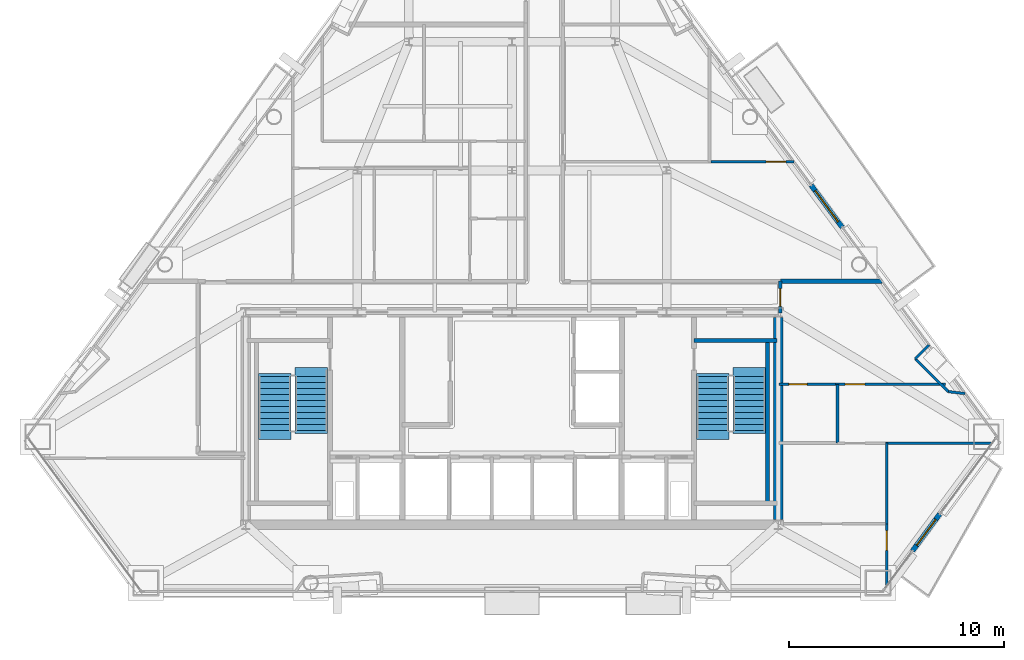
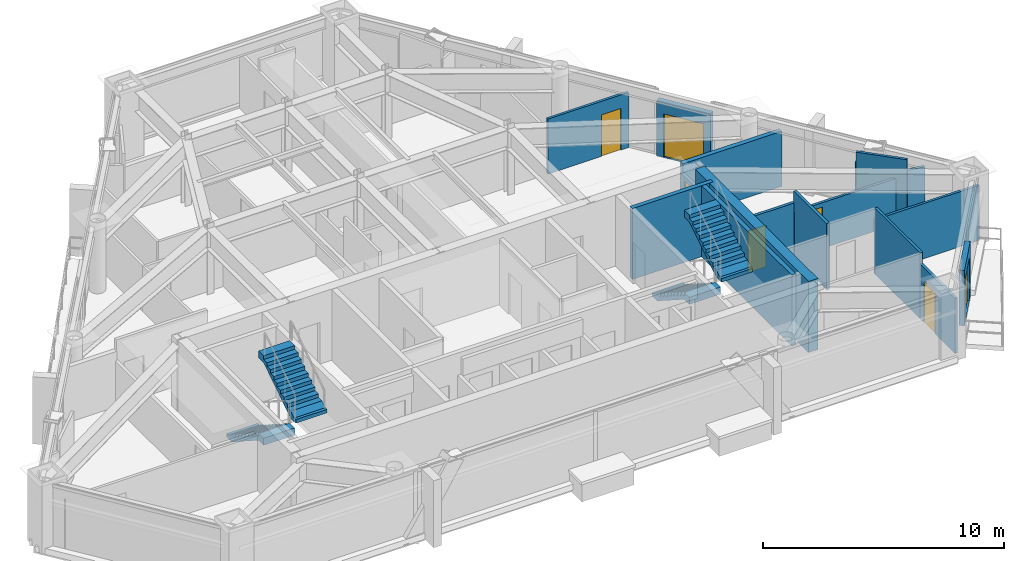
# One storey, part 9 of 11: 17 walls, 7 doors, 4 stair flights, 7 openings, 2 elements without a shape of their own.
"""IFC4 building model written with IfcOpenShell, lengths in metres."""

from ifc_helpers import new_model, si_unit, direction, frame, frame_2d, origin, place, context, subcontext, project, spatial, polyline, rectangle, outline, extrude, material, layer, layer_set, type_object, element, fill, aggregate, save


model = new_model("IFC4")

# Units and contexts
model_context = context("Model", 3, precision=1e-05, world=origin(), true_north=direction((0.0, 1.0)))
body_context = subcontext(model_context, "Body", "Model", "MODEL_VIEW")
ifc_project = project(units=[si_unit("LENGTHUNIT", "METRE"), si_unit("AREAUNIT", "SQUARE_METRE"), si_unit("VOLUMEUNIT", "CUBIC_METRE"), si_unit("PLANEANGLEUNIT", "RADIAN"), si_unit("MASSUNIT", "GRAM", prefix="KILO")], contexts=[model_context])

# Site, building, storey
site_placement = place(None, origin())
site = spatial("IfcSite", under=ifc_project, at=site_placement, CompositionType="ELEMENT")
building_placement = place(site_placement, origin())
building = spatial("IfcBuilding", under=site, at=building_placement, Name="Talgorran Terracotta Tower", CompositionType="ELEMENT")
storey_placement = place(building_placement, frame((0.0, 0.0, 140.10009765625)))
storey = spatial("IfcBuildingStorey", under=building, at=storey_placement, Name="L36", CompositionType="ELEMENT", Elevation=140.10009765625)

# Wall, opening, door
ifc_material_1 = material(Name="Concrete C40/50", Category="concrete")
ifc_layer_1 = layer(ifc_material_1, 0.239990234375, Name="WT_BALCONY_SPAND")
ifc_layer_set_1 = layer_set([ifc_layer_1], Name="Concrete C40/50")
wall_type_1 = type_object("IfcWallType", Name="WT_BALCONY_SPAND", PredefinedType="STANDARD", material=ifc_layer_set_1)
wall_1_placement = place(storey_placement, frame((15.38427734375, -0.24560546875, -0.01513671875), z_axis=(0.0, 0.0, 1.0), x_axis=(-0.594317914364, 0.804230201289, 0.0)))
wall_1 = element("IfcWall", 1, at=wall_1_placement, inside=storey, type_object=wall_type_1, Name="WL-L36-BALP-BAL-NE", PredefinedType="STANDARD", context=body_context, shape_type="SweptSolid", body=[
    extrude(rectangle(XDim=2.440185546875, YDim=0.239990234375, at=frame_2d((1.22021484375, 0.0))), origin(), (0.0, 0.0, 1.0), 2.80712890625),
])
opening_1_placement = place(wall_1_placement, frame((0.320068359375, 0.0, 0.014892578125)))
opening_1 = element("IfcOpeningElement", 2, at=opening_1_placement, cuts=wall_1, Name="Opening D-BAL-L36-1", PredefinedType="OPENING", context=body_context, shape_type="SweptSolid", body=[
    extrude(rectangle(XDim=1.806048828125, YDim=2.203951171875, at=frame_2d((0.89990234375, 1.10205078125))), frame((0.0, 0.1298828125, 0.0), z_axis=(0.0, -1.0, 0.0), x_axis=(1.0, 0.0, 0.0)), (0.0, 0.0, 1.0), 0.260009765625),
])
ifc_material_2 = material(Name="Thermally Broken Aluminium", Category="aluminium")
door_type_1 = type_object("IfcDoorType", Name="DT_BALC_1800", OperationType="SLIDING_TO_LEFT", PredefinedType="DOOR", material=ifc_material_2)
door_1_placement = place(opening_1_placement, origin())
door_1 = element("IfcDoor", 3, at=door_1_placement, inside=storey, type_object=door_type_1, Name="DR-L36-BAL-BAL-NE", OperationType="SLIDING_TO_LEFT", OverallHeight=2.199951171875, OverallWidth=1.800048828125, PredefinedType="DOOR", context=body_context, shape_type="SweptSolid", body=[
    extrude(rectangle(XDim=1.800048828125, YDim=2.199951171875, at=frame_2d((0.89990234375, 1.10009765625))), frame((0.0, 0.02490234375, 0.0), z_axis=(0.0, -1.0, 0.0), x_axis=(1.0, 0.0, 0.0)), (0.0, 0.0, 1.0), 0.050048828125),
])
fill(opening_1, door_1)

wall_2_placement = place(storey_placement, frame((18.66015625, -15.322509765625, -0.01513671875), z_axis=(0.0, 0.0, 1.0), x_axis=(0.594381437757, 0.804183254271, 0.0)))
wall_2 = element("IfcWall", 4, at=wall_2_placement, inside=storey, type_object=wall_type_1, Name="WL-L36-BALP-BAL-SE", PredefinedType="STANDARD", context=body_context, shape_type="SweptSolid", body=[
    extrude(rectangle(XDim=2.139892578125, YDim=0.239990234375, at=frame_2d((1.06982421875, 0.0))), origin(), (0.0, 0.0, 1.0), 2.80712890625),
])
opening_2_placement = place(wall_2_placement, frame((0.320068359375, 0.0, 0.014892578125)))
opening_2 = element("IfcOpeningElement", 5, at=opening_2_placement, cuts=wall_2, Name="Opening D-BAL-L36-3", PredefinedType="OPENING", context=body_context, shape_type="SweptSolid", body=[
    extrude(rectangle(XDim=1.506, YDim=2.203951171875, at=frame_2d((0.75, 1.10205078125))), frame((0.0, 0.1298828125, 0.0), z_axis=(0.0, -1.0, 0.0), x_axis=(1.0, 0.0, 0.0)), (0.0, 0.0, 1.0), 0.260009765625),
])
door_type_2 = type_object("IfcDoorType", Name="DT_BALC_1500", OperationType="SLIDING_TO_RIGHT", PredefinedType="DOOR", material=ifc_material_2)
door_2_placement = place(opening_2_placement, origin())
door_2 = element("IfcDoor", 6, at=door_2_placement, inside=storey, type_object=door_type_2, Name="DR-L36-BAL-BAL-SE", OperationType="SLIDING_TO_RIGHT", OverallHeight=2.199951171875, OverallWidth=1.5, PredefinedType="DOOR", context=body_context, shape_type="SweptSolid", body=[
    extrude(rectangle(XDim=1.5, YDim=2.199951171875, at=frame_2d((0.75, 1.10009765625))), frame((0.0, 0.02490234375, 0.0), z_axis=(0.0, -1.0, 0.0), x_axis=(1.0, 0.0, 0.0)), (0.0, 0.0, 1.0), 0.050048828125),
])
fill(opening_2, door_2)

# Walls
ifc_material_3 = material(Name="Concrete C50/60", Category="concrete")
ifc_layer_2 = layer(ifc_material_3, 0.199951171875, Name="WT_CORE_200")
ifc_layer_set_2 = layer_set([ifc_layer_2], Name="Concrete C50/60")
wall_type_2 = type_object("IfcWallType", Name="WT_CORE_200", PredefinedType="SOLIDWALL", material=ifc_layer_set_2)
wall_3_placement = place(storey_placement, frame((8.47998046875, -5.52001953125, 0.0), z_axis=(0.0, 0.0, 1.0), x_axis=(1.0, 0.0, 0.0)))
element("IfcWall", 7, at=wall_3_placement, inside=storey, type_object=wall_type_2, Name="WL-L36-CW-ST2-N", PredefinedType="SOLIDWALL", context=body_context, shape_type="SweptSolid", body=[
    extrude(rectangle(XDim=3.8701171875, YDim=0.199951171875, at=frame_2d((1.93505859375, 0.0))), origin(), (0.0, 0.0, 1.0), 3.599853515625),
])
wall_4_placement = place(storey_placement, frame((11.89990234375, -13.10009765625, 0.0), z_axis=(0.0, 0.0, 1.0), x_axis=(0.0, 1.0, 0.0)))
element("IfcWall", 8, at=wall_4_placement, inside=storey, type_object=wall_type_2, Name="WL-L36-CW-ST2-E", PredefinedType="SOLIDWALL", context=body_context, shape_type="SweptSolid", body=[
    extrude(rectangle(XDim=7.580078125, YDim=0.199951171875, at=frame_2d((3.7900390625, 0.0))), origin(), (0.0, 0.0, 1.0), 3.599853515625),
])
ifc_material_4 = material(Name="Concrete C65/80", Category="concrete")
ifc_layer_3 = layer(ifc_material_4, 0.449951171875, Name="WT_CORE_EXT")
ifc_layer_set_3 = layer_set([ifc_layer_3], Name="Concrete C65/80")
wall_type_3 = type_object("IfcWallType", Name="WT_CORE_EXT", PredefinedType="SHEAR", material=ifc_layer_set_3)
wall_5_placement = place(storey_placement, frame((12.39990234375, -13.85009765625, 0.0), z_axis=(0.0, 0.0, 1.0), x_axis=(0.0, 1.0, 0.0)))
element("IfcWall", 9, at=wall_5_placement, inside=storey, type_object=wall_type_3, Name="WL-L36-CW-OUT-E", PredefinedType="SHEAR", context=body_context, shape_type="SweptSolid", body=[
    extrude(rectangle(XDim=9.400146484375, YDim=0.449951171875, at=frame_2d((4.7001953125, 0.0))), origin(), (0.0, 0.0, 1.0), 3.599853515625),
])

# Wall, opening, door
ifc_material_5 = material(Name="Fire-Rated Steel Stud Plasterboard", Category="steel")
ifc_layer_4 = layer(ifc_material_5, 0.14990234375, Name="WT_FIRE_150")
ifc_layer_set_4 = layer_set([ifc_layer_4], Name="Fire-Rated Steel Stud Plasterboard")
wall_type_4 = type_object("IfcWallType", Name="WT_FIRE_150", PredefinedType="PARTITIONING", material=ifc_layer_set_4)
wall_6_placement = place(storey_placement, frame((12.5, -4.239990234375, 0.0), z_axis=(0.0, 0.0, 1.0), x_axis=(0.0, 1.0, 0.0)))
wall_6 = element("IfcWall", 10, at=wall_6_placement, inside=storey, type_object=wall_type_4, Name="WL-L36-W-L36-R03", PredefinedType="PARTITIONING", context=body_context, shape_type="SweptSolid", body=[
    extrude(rectangle(XDim=1.47998046875, YDim=0.14990234375, at=frame_2d((0.739990234375, 0.0))), origin(), (0.0, 0.0, 1.0), 2.324951171875),
])
opening_3_placement = place(wall_6_placement, frame((0.31494140625, 0.0, 0.0)))
opening_3 = element("IfcOpeningElement", 11, at=opening_3_placement, cuts=wall_6, Name="Opening DR-L36-R03", PredefinedType="OPENING", context=body_context, shape_type="SweptSolid", body=[
    extrude(rectangle(XDim=0.826068359375, YDim=2.10409765625, at=frame_2d((0.41015625, 1.052001953125))), frame((0.0, 0.0849609375, 0.0), z_axis=(0.0, -1.0, 0.0), x_axis=(1.0, 0.0, 0.0)), (0.0, 0.0, 1.0), 0.169921875),
])
ifc_material_6 = material(Name="Moisture-Resistant Solid Timber", Category="wood")
door_type_3 = type_object("IfcDoorType", Name="DT_INT_820", OperationType="NOTDEFINED", PredefinedType="DOOR", material=ifc_material_6)
door_3_placement = place(opening_3_placement, origin())
door_3 = element("IfcDoor", 12, at=door_3_placement, inside=storey, type_object=door_type_3, Name="DR-L36-R03", OperationType="SINGLE_SWING_LEFT", OverallHeight=2.10009765625, OverallWidth=0.820068359375, PredefinedType="DOOR", context=body_context, shape_type="SweptSolid", body=[
    extrude(rectangle(XDim=0.820068359375, YDim=2.10009765625, at=frame_2d((0.41015625, 1.050048828125))), frame((0.0, 0.02490234375, 0.0), z_axis=(0.0, -1.0, 0.0), x_axis=(1.0, 0.0, 0.0)), (0.0, 0.0, 1.0), 0.050048828125),
])
fill(opening_3, door_3)

# Wall
ifc_material_7 = material(Name="Acoustic Masonry and Plasterboard", Category="masonry")
ifc_layer_5 = layer(ifc_material_7, 0.219970703125, Name="WT_PARTY_220")
ifc_layer_set_5 = layer_set([ifc_layer_5], Name="Acoustic Masonry and Plasterboard")
wall_type_5 = type_object("IfcWallType", Name="WT_PARTY_220", PredefinedType="PARTITIONING", material=ifc_layer_set_5)
wall_7_placement = place(storey_placement, frame((12.5, -2.760009765625, 0.0), z_axis=(0.0, 0.0, 1.0), x_axis=(1.0, 0.0, 0.0)))
element("IfcWall", 13, at=wall_7_placement, inside=storey, type_object=wall_type_5, Name="WL-L36-W-L36-R21", PredefinedType="PARTITIONING", context=body_context, shape_type="SweptSolid", body=[
    extrude(rectangle(XDim=4.74267578125, YDim=0.219970703125, at=frame_2d((2.371337890625, 0.0))), origin(), (0.0, 0.0, 1.0), 2.7919921875),
])

# Wall, opening, door
ifc_material_8 = material(Name="Insulated Steel Stud Plasterboard", Category="steel")
ifc_layer_6 = layer(ifc_material_8, 0.1201171875, Name="WT_PART_120")
ifc_layer_set_6 = layer_set([ifc_layer_6], Name="Insulated Steel Stud Plasterboard")
wall_type_6 = type_object("IfcWallType", Name="WT_PART_120", PredefinedType="PARTITIONING", material=ifc_layer_set_6)
wall_8_placement = place(storey_placement, frame((15.080078125, -7.56005859375, 0.0), z_axis=(0.0, 0.0, 1.0), x_axis=(1.0, 0.0, 0.0)))
wall_8 = element("IfcWall", 14, at=wall_8_placement, inside=storey, type_object=wall_type_6, Name="WL-L36-W-L36-R20", PredefinedType="PARTITIONING", context=body_context, shape_type="SweptSolid", body=[
    extrude(rectangle(XDim=5.119873046875, YDim=0.1201171875, at=frame_2d((2.56005859375, 0.0))), origin(), (0.0, 0.0, 1.0), 2.324951171875),
])
opening_4_placement = place(wall_8_placement, frame((0.438232421875, 0.0, 0.0)))
opening_4 = element("IfcOpeningElement", 15, at=opening_4_placement, cuts=wall_8, Name="Opening DR-L36-R05", PredefinedType="OPENING", context=body_context, shape_type="SweptSolid", body=[
    extrude(rectangle(XDim=0.925921875, YDim=2.10409765625, at=frame_2d((0.4599609375, 1.052001953125))), frame((0.0, 0.070068359375, 0.0), z_axis=(0.0, -1.0, 0.0), x_axis=(1.0, 0.0, 0.0)), (0.0, 0.0, 1.0), 0.14013671875),
])
ifc_material_9 = material(Name="Solid-Core Painted Timber", Category="wood")
door_type_4 = type_object("IfcDoorType", Name="DT_INT_920", OperationType="NOTDEFINED", PredefinedType="DOOR", material=ifc_material_9)
door_4_placement = place(opening_4_placement, origin())
door_4 = element("IfcDoor", 16, at=door_4_placement, inside=storey, type_object=door_type_4, Name="DR-L36-R05", OperationType="SINGLE_SWING_LEFT", OverallHeight=2.10009765625, OverallWidth=0.919921875, PredefinedType="DOOR", context=body_context, shape_type="SweptSolid", body=[
    extrude(rectangle(XDim=0.919921875, YDim=2.10009765625, at=frame_2d((0.4599609375, 1.050048828125))), frame((0.0, 0.02490234375, 0.0), z_axis=(0.0, -1.0, 0.0), x_axis=(1.0, 0.0, 0.0)), (0.0, 0.0, 1.0), 0.050048828125),
])
fill(opening_4, door_4)

# Wall
wall_9_placement = place(storey_placement, frame((17.39990234375, -10.300048828125, 0.0), z_axis=(0.0, 0.0, 1.0), x_axis=(1.0, 0.0, 0.0)))
element("IfcWall", 17, at=wall_9_placement, inside=storey, type_object=wall_type_6, Name="WL-L36-W-L36-R25", PredefinedType="PARTITIONING", context=body_context, shape_type="SweptSolid", body=[
    extrude(rectangle(XDim=4.97216796875, YDim=0.1201171875, at=frame_2d((2.486083984375, 0.0))), origin(), (0.0, 0.0, 1.0), 2.7919921875),
])

# Wall, opening, door
wall_10_placement = place(storey_placement, frame((9.261962890625, 2.800048828125, 0.0), z_axis=(0.0, 0.0, 1.0), x_axis=(1.0, 0.0, 0.0)))
wall_10 = element("IfcWall", 18, at=wall_10_placement, inside=storey, type_object=wall_type_6, Name="WL-L36-W-L36-R46", PredefinedType="PARTITIONING", context=body_context, shape_type="SweptSolid", body=[
    extrude(rectangle(XDim=3.87158203125, YDim=0.1201171875, at=frame_2d((1.935791015625, 0.0))), origin(), (0.0, 0.0, 1.0), 2.7919921875),
])
opening_5_placement = place(wall_10_placement, frame((2.57421875, 0.0, 0.0)))
opening_5 = element("IfcOpeningElement", 19, at=opening_5_placement, cuts=wall_10, Name="Opening DR-L36-R17", PredefinedType="OPENING", context=body_context, shape_type="SweptSolid", body=[
    extrude(rectangle(XDim=0.925921875, YDim=2.10409765625, at=frame_2d((0.4599609375, 1.052001953125))), frame((0.0, 0.070068359375, 0.0), z_axis=(0.0, -1.0, 0.0), x_axis=(1.0, 0.0, 0.0)), (0.0, 0.0, 1.0), 0.14013671875),
])
door_5_placement = place(opening_5_placement, origin())
door_5 = element("IfcDoor", 20, at=door_5_placement, inside=storey, type_object=door_type_4, Name="DR-L36-R17", OperationType="SINGLE_SWING_LEFT", OverallHeight=2.10009765625, OverallWidth=0.919921875, PredefinedType="DOOR", context=body_context, shape_type="SweptSolid", body=[
    extrude(rectangle(XDim=0.919921875, YDim=2.10009765625, at=frame_2d((0.4599609375, 1.050048828125))), frame((0.0, 0.02490234375, 0.0), z_axis=(0.0, -1.0, 0.0), x_axis=(1.0, 0.0, 0.0)), (0.0, 0.0, 1.0), 0.050048828125),
])
fill(opening_5, door_5)

# Wall
wall_11_placement = place(storey_placement, frame((17.4599609375, -14.06005859375, 0.0), z_axis=(0.0, 0.0, 1.0), x_axis=(0.0, 1.0, 0.0)))
element("IfcWall", 21, at=wall_11_placement, inside=storey, type_object=wall_type_6, Name="WL-L36-W-L36-R28", PredefinedType="PARTITIONING", context=body_context, shape_type="SweptSolid", body=[
    extrude(rectangle(XDim=3.760009765625, YDim=0.1201171875, at=frame_2d((1.8798828125, 0.0))), origin(), (0.0, 0.0, 1.0), 3.349853515625),
])

# Wall, opening, door
wall_12_placement = place(storey_placement, frame((17.4599609375, -16.9462890625, 0.0), z_axis=(0.0, 0.0, 1.0), x_axis=(0.0, 1.0, 0.0)))
wall_12 = element("IfcWall", 22, at=wall_12_placement, inside=storey, type_object=wall_type_6, Name="WL-L36-W-L36-R27", PredefinedType="PARTITIONING", context=body_context, shape_type="SweptSolid", body=[
    extrude(rectangle(XDim=2.88623046875, YDim=0.1201171875, at=frame_2d((1.443115234375, 0.0))), origin(), (0.0, 0.0, 1.0), 2.7919921875),
])
opening_6_placement = place(wall_12_placement, frame((1.64794921875, 0.0, 0.0)))
opening_6 = element("IfcOpeningElement", 23, at=opening_6_placement, cuts=wall_12, Name="Opening DR-L36-R06", PredefinedType="OPENING", context=body_context, shape_type="SweptSolid", body=[
    extrude(rectangle(XDim=0.925921875, YDim=2.10409765625, at=frame_2d((0.4599609375, 1.052001953125))), frame((0.0, 0.070068359375, 0.0), z_axis=(0.0, -1.0, 0.0), x_axis=(1.0, 0.0, 0.0)), (0.0, 0.0, 1.0), 0.14013671875),
])
door_6_placement = place(opening_6_placement, origin())
door_6 = element("IfcDoor", 24, at=door_6_placement, inside=storey, type_object=door_type_4, Name="DR-L36-R06", OperationType="SINGLE_SWING_RIGHT", OverallHeight=2.10009765625, OverallWidth=0.919921875, PredefinedType="DOOR", context=body_context, shape_type="SweptSolid", body=[
    extrude(rectangle(XDim=0.919921875, YDim=2.10009765625, at=frame_2d((0.4599609375, 1.050048828125))), frame((0.0, 0.02490234375, 0.0), z_axis=(0.0, -1.0, 0.0), x_axis=(1.0, 0.0, 0.0)), (0.0, 0.0, 1.0), 0.050048828125),
])
fill(opening_6, door_6)

# Walls
wall_13_placement = place(storey_placement, frame((20.32958984375, -7.903076171875, 0.0), z_axis=(0.0, 0.0, 1.0), x_axis=(-0.71069096923, 0.70350433279, 0.0)))
element("IfcWall", 25, at=wall_13_placement, inside=storey, type_object=wall_type_6, Name="WL-L36-BW-L36-13", PredefinedType="PARTITIONING", context=body_context, shape_type="SweptSolid", body=[
    extrude(rectangle(XDim=2.174072265625, YDim=0.1201171875, at=frame_2d((1.0869140625, 0.0))), origin(), (0.0, 0.0, 1.0), 3.349853515625),
])
wall_14_placement = place(storey_placement, frame((18.784423828125, -6.37353515625, 0.0), z_axis=(0.0, 0.0, 1.0), x_axis=(0.703469957503, 0.710724995262, 0.0)))
element("IfcWall", 26, at=wall_14_placement, inside=storey, type_object=wall_type_6, Name="WL-L36-BW-L36-11", PredefinedType="PARTITIONING", context=body_context, shape_type="SweptSolid", body=[
    extrude(rectangle(XDim=0.90869140625, YDim=0.1201171875, at=frame_2d((0.454345703125, 0.0))), origin(), (0.0, 0.0, 1.0), 2.7919921875),
])
wall_15_placement = place(storey_placement, frame((21.097900390625, -7.993408203125, 0.0), z_axis=(0.0, 0.0, 1.0), x_axis=(-0.993159218392, 0.116768004705, 0.0)))
element("IfcWall", 27, at=wall_15_placement, inside=storey, type_object=wall_type_6, Name="WL-L36-BW-L36-12", PredefinedType="PARTITIONING", context=body_context, shape_type="SweptSolid", body=[
    extrude(rectangle(XDim=0.773681640625, YDim=0.1201171875, at=frame_2d((0.38671875, 0.0))), origin(), (0.0, 0.0, 1.0), 2.7919921875),
])

# Wall, opening, door
ifc_material_10 = material(Name="Moisture-Resistant Stud Wall")
ifc_layer_7 = layer(ifc_material_10, 0.135009765625, Name="WT_PART_135")
ifc_layer_set_7 = layer_set([ifc_layer_7], Name="Moisture-Resistant Stud Wall")
wall_type_7 = type_object("IfcWallType", Name="WT_PART_135", PredefinedType="PARTITIONING", material=ifc_layer_set_7)
wall_16_placement = place(storey_placement, frame((12.43994140625, -7.56005859375, 0.0), z_axis=(0.0, 0.0, 1.0), x_axis=(1.0, 0.0, 0.0)))
wall_16 = element("IfcWall", 28, at=wall_16_placement, inside=storey, type_object=wall_type_7, Name="WL-L36-W-L36-R19", PredefinedType="PARTITIONING", context=body_context, shape_type="SweptSolid", body=[
    extrude(rectangle(XDim=2.637939453125, YDim=0.135009765625, at=frame_2d((1.31884765625, 0.0))), origin(), (0.0, 0.0, 1.0), 2.7919921875),
])
opening_7_placement = place(wall_16_placement, frame((0.458251953125, 0.0, 0.0)))
opening_7 = element("IfcOpeningElement", 29, at=opening_7_placement, cuts=wall_16, Name="Opening DR-L36-R04", PredefinedType="OPENING", context=body_context, shape_type="SweptSolid", body=[
    extrude(rectangle(XDim=0.85609765625, YDim=2.10409765625, at=frame_2d((0.425048828125, 1.052001953125))), frame((0.0, 0.07763671875, 0.0), z_axis=(0.0, -1.0, 0.0), x_axis=(1.0, 0.0, 0.0)), (0.0, 0.0, 1.0), 0.155029296875),
])
door_type_5 = type_object("IfcDoorType", Name="DT_INT_850", OperationType="NOTDEFINED", PredefinedType="DOOR", material=ifc_material_6)
door_7_placement = place(opening_7_placement, origin())
door_7 = element("IfcDoor", 30, at=door_7_placement, inside=storey, type_object=door_type_5, Name="DR-L36-R04", OperationType="SINGLE_SWING_RIGHT", OverallHeight=2.10009765625, OverallWidth=0.85009765625, PredefinedType="DOOR", context=body_context, shape_type="SweptSolid", body=[
    extrude(rectangle(XDim=0.85009765625, YDim=2.10009765625, at=frame_2d((0.425048828125, 1.050048828125))), frame((0.0, 0.02490234375, 0.0), z_axis=(0.0, -1.0, 0.0), x_axis=(1.0, 0.0, 0.0)), (0.0, 0.0, 1.0), 0.050048828125),
])
fill(opening_7, door_7)

# Wall
wall_17_placement = place(storey_placement, frame((15.159912109375, -10.300048828125, 0.0), z_axis=(0.0, 0.0, 1.0), x_axis=(0.0, 1.0, 0.0)))
element("IfcWall", 31, at=wall_17_placement, inside=storey, type_object=wall_type_7, Name="WL-L36-W-L36-R22", PredefinedType="PARTITIONING", context=body_context, shape_type="SweptSolid", body=[
    extrude(rectangle(XDim=2.739990234375, YDim=0.135009765625, at=frame_2d((1.3701171875, 0.0))), origin(), (0.0, 0.0, 1.0), 3.349853515625),
])

# Stair, stair flights
stair_type = type_object("IfcStairType", Name="ST_FIRE_SCISSOR", PredefinedType="HALF_TURN_STAIR", material=ifc_material_1)
stair_1_placement = place(storey_placement, origin())
stair_1 = element("IfcStair", 32, at=stair_1_placement, inside=storey, type_object=stair_type, Name="L36 West Protected Fire Stair ST-01", PredefinedType="HALF_TURN_STAIR")
ifc_layer_8 = layer(ifc_material_1, 0.179931640625, Name="STF_RC_1500")
ifc_layer_set_8 = layer_set([ifc_layer_8], Name="Concrete C40/50")
stair_flight_type = type_object("IfcStairFlightType", Name="STF_RC_1500", PredefinedType="STRAIGHT", material=ifc_layer_set_8)
stair_flight_1_placement = place(storey_placement, frame((-11.050048828125, -7.199951171875, 0.0), z_axis=(0.0, 0.0, 1.0), x_axis=(0.0, -1.0, 0.0)))
stair_flight_1 = element("IfcStairFlight", 33, at=stair_flight_1_placement, type_object=stair_flight_type, Name="ST-01 flight 1", NumberOfRisers=10, NumberOfTreads=9, PredefinedType="STRAIGHT", RiserHeight=0.18, TreadLength=0.28, context=body_context, shape_type="SweptSolid", body=[
    extrude(outline(polyline([(-0.139892578125, 0.0), (-0.139892578125, 0.179931640625), (0.0, 0.179931640625), (0.280029296875, 0.360107421875), (0.56005859375, 0.360107421875), (0.56005859375, 0.5400390625), (0.840087890625, 0.5400390625), (0.840087890625, 0.719970703125), (1.1201171875, 0.719970703125), (1.1201171875, 0.89990234375), (1.39990234375, 0.89990234375), (1.39990234375, 1.080078125), (1.679931640625, 1.080078125), (1.679931640625, 1.260009765625), (1.9599609375, 1.260009765625), (1.9599609375, 1.43994140625), (2.239990234375, 1.43994140625), (2.239990234375, 1.6201171875), (2.52001953125, 1.6201171875), (2.52001953125, 1.800048828125), (2.93994140625, 1.800048828125), (2.93994140625, 1.44189453125), (2.52001953125, 1.44189453125), (0.277099609375, 0.0), (-0.139892578125, 0.0)])), frame((0.0, 0.75, 0.0), z_axis=(0.0, -1.0, 0.0), x_axis=(1.0, 0.0, 0.0)), (0.0, 0.0, 1.0), 1.5),
])
stair_flight_2_placement = place(storey_placement, frame((-9.35009765625, -9.719970703125, 1.7998046875), z_axis=(0.0, 0.0, 1.0), x_axis=(0.0, 1.0, 0.0)))
stair_flight_2 = element("IfcStairFlight", 34, at=stair_flight_2_placement, type_object=stair_flight_type, Name="ST-01 flight 2", NumberOfRisers=10, NumberOfTreads=9, PredefinedType="STRAIGHT", RiserHeight=0.18, TreadLength=0.28, context=body_context, shape_type="SweptSolid", body=[
    extrude(outline(polyline([(-0.139892578125, 0.0), (-0.139892578125, 0.179931640625), (0.0, 0.179931640625), (0.280029296875, 0.360107421875), (0.56005859375, 0.360107421875), (0.56005859375, 0.5400390625), (0.840087890625, 0.5400390625), (0.840087890625, 0.719970703125), (1.1201171875, 0.719970703125), (1.1201171875, 0.89990234375), (1.39990234375, 0.89990234375), (1.39990234375, 1.080078125), (1.679931640625, 1.080078125), (1.679931640625, 1.260009765625), (1.9599609375, 1.260009765625), (1.9599609375, 1.43994140625), (2.239990234375, 1.43994140625), (2.239990234375, 1.6201171875), (2.52001953125, 1.6201171875), (2.52001953125, 1.800048828125), (2.93994140625, 1.800048828125), (2.93994140625, 1.44189453125), (2.52001953125, 1.44189453125), (0.277099609375, 0.0), (-0.139892578125, 0.0)])), frame((0.0, 0.75, 0.0), z_axis=(0.0, -1.0, 0.0), x_axis=(1.0, 0.0, 0.0)), (0.0, 0.0, 1.0), 1.5),
])
aggregate(stair_1, [stair_flight_1, stair_flight_2])

stair_2_placement = place(storey_placement, origin())
stair_2 = element("IfcStair", 35, at=stair_2_placement, inside=storey, type_object=stair_type, Name="L36 East Protected Fire Stair ST-02", PredefinedType="HALF_TURN_STAIR")
stair_flight_3_placement = place(storey_placement, frame((9.35009765625, -7.199951171875, 0.0), z_axis=(0.0, 0.0, 1.0), x_axis=(0.0, -1.0, 0.0)))
stair_flight_3 = element("IfcStairFlight", 36, at=stair_flight_3_placement, type_object=stair_flight_type, Name="ST-02 flight 1", NumberOfRisers=10, NumberOfTreads=9, PredefinedType="STRAIGHT", RiserHeight=0.18, TreadLength=0.28, context=body_context, shape_type="SweptSolid", body=[
    extrude(outline(polyline([(-0.139892578125, 0.0), (-0.139892578125, 0.179931640625), (0.0, 0.179931640625), (0.280029296875, 0.360107421875), (0.56005859375, 0.360107421875), (0.56005859375, 0.5400390625), (0.840087890625, 0.5400390625), (0.840087890625, 0.719970703125), (1.1201171875, 0.719970703125), (1.1201171875, 0.89990234375), (1.39990234375, 0.89990234375), (1.39990234375, 1.080078125), (1.679931640625, 1.080078125), (1.679931640625, 1.260009765625), (1.9599609375, 1.260009765625), (1.9599609375, 1.43994140625), (2.239990234375, 1.43994140625), (2.239990234375, 1.6201171875), (2.52001953125, 1.6201171875), (2.52001953125, 1.800048828125), (2.93994140625, 1.800048828125), (2.93994140625, 1.44189453125), (2.52001953125, 1.44189453125), (0.277099609375, 0.0), (-0.139892578125, 0.0)])), frame((0.0, 0.75, 0.0), z_axis=(0.0, -1.0, 0.0), x_axis=(1.0, 0.0, 0.0)), (0.0, 0.0, 1.0), 1.5),
])
stair_flight_4_placement = place(storey_placement, frame((11.050048828125, -9.719970703125, 1.7998046875), z_axis=(0.0, 0.0, 1.0), x_axis=(0.0, 1.0, 0.0)))
stair_flight_4 = element("IfcStairFlight", 37, at=stair_flight_4_placement, type_object=stair_flight_type, Name="ST-02 flight 2", NumberOfRisers=10, NumberOfTreads=9, PredefinedType="STRAIGHT", RiserHeight=0.18, TreadLength=0.28, context=body_context, shape_type="SweptSolid", body=[
    extrude(outline(polyline([(-0.139892578125, 0.0), (-0.139892578125, 0.179931640625), (0.0, 0.179931640625), (0.280029296875, 0.360107421875), (0.56005859375, 0.360107421875), (0.56005859375, 0.5400390625), (0.840087890625, 0.5400390625), (0.840087890625, 0.719970703125), (1.1201171875, 0.719970703125), (1.1201171875, 0.89990234375), (1.39990234375, 0.89990234375), (1.39990234375, 1.080078125), (1.679931640625, 1.080078125), (1.679931640625, 1.260009765625), (1.9599609375, 1.260009765625), (1.9599609375, 1.43994140625), (2.239990234375, 1.43994140625), (2.239990234375, 1.6201171875), (2.52001953125, 1.6201171875), (2.52001953125, 1.800048828125), (2.93994140625, 1.800048828125), (2.93994140625, 1.44189453125), (2.52001953125, 1.44189453125), (0.277099609375, 0.0), (-0.139892578125, 0.0)])), frame((0.0, 0.75, 0.0), z_axis=(0.0, -1.0, 0.0), x_axis=(1.0, 0.0, 0.0)), (0.0, 0.0, 1.0), 1.5),
])
aggregate(stair_2, [stair_flight_3, stair_flight_4])

save(model, "model.ifc")
